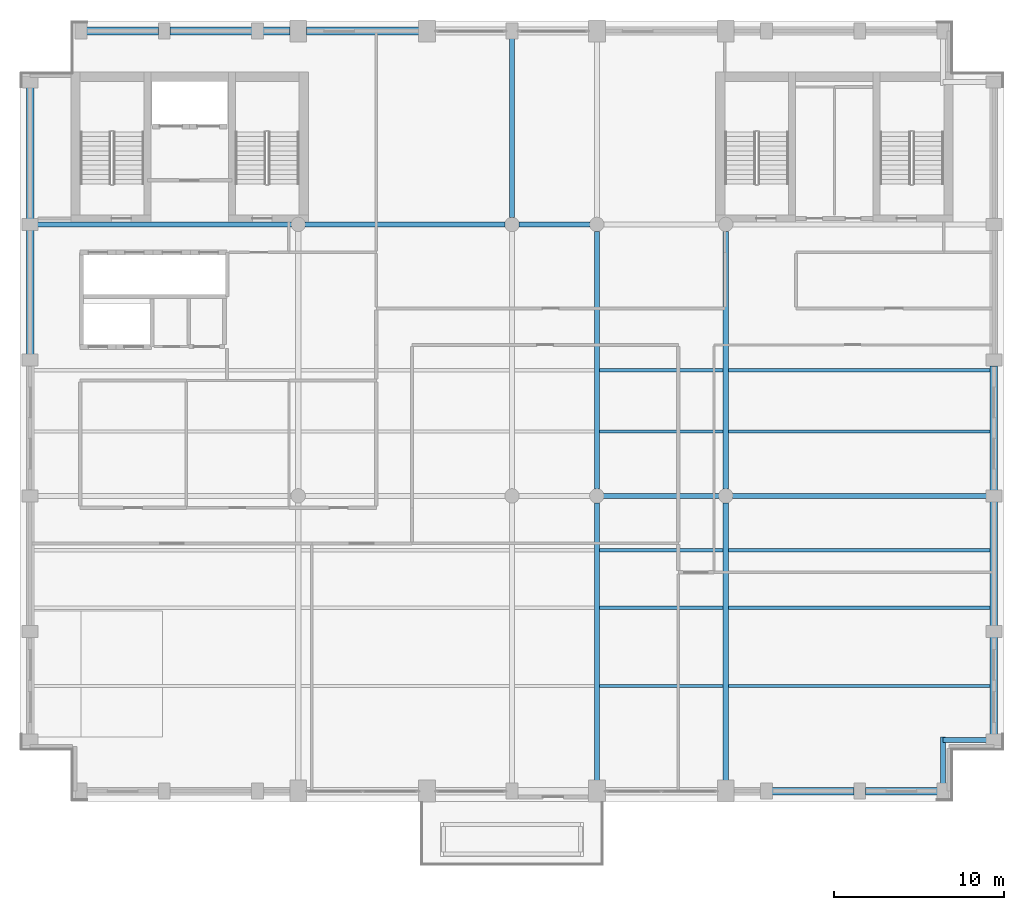
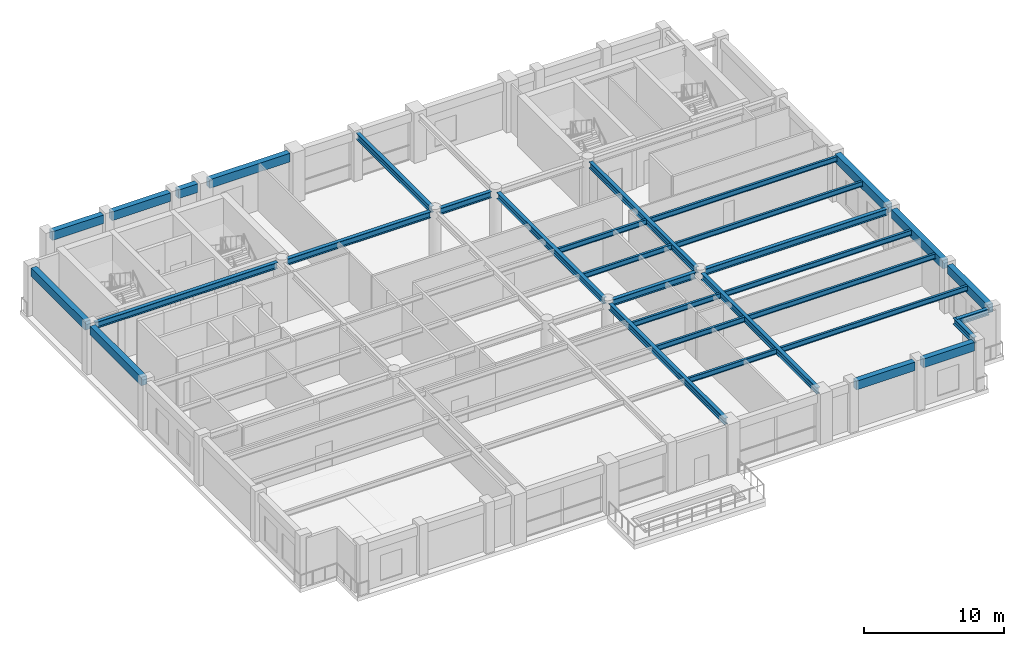
# One storey, part 4 of 13: 33 beams.
"""IFC4 building model written with IfcOpenShell, lengths in metres."""

from ifc_helpers import new_model, si_unit, direction, frame, origin, origin_2d, place, context, subcontext, project, spatial, rectangle, i_section, extrude, material, material_profile, profile_set, type_object, element, save


model = new_model("IFC4")

# Units and contexts
model_context = context("Model", 3, precision=1e-05, world=origin(), true_north=direction((0.0, 1.0)))
body_context = subcontext(model_context, "Body", "Model", "MODEL_VIEW")
ifc_project = project(units=[si_unit("LENGTHUNIT", "METRE"), si_unit("AREAUNIT", "SQUARE_METRE"), si_unit("VOLUMEUNIT", "CUBIC_METRE"), si_unit("PLANEANGLEUNIT", "RADIAN"), si_unit("MASSUNIT", "GRAM", prefix="KILO")], contexts=[model_context])

# Site, building, storey
site_placement = place(None, origin())
site = spatial("IfcSite", under=ifc_project, at=site_placement, CompositionType="ELEMENT")
building_placement = place(site_placement, origin())
building = spatial("IfcBuilding", under=site, at=building_placement, Name="Sulina Concourse Tower", CompositionType="ELEMENT")
storey_placement = place(building_placement, frame((0.0, 0.0, 280.60009765625)))
storey = spatial("IfcBuildingStorey", under=building, at=storey_placement, Name="L68", CompositionType="ELEMENT", Elevation=280.60009765625)

# Beams
ifc_material_1 = material(Name="Steel S355", Category="steel")
ifc_material_profile_1 = material_profile(ifc_material_1, i_section(OverallWidth=0.18994140625, OverallDepth=0.449951171875, WebThickness=0.009521484375, FlangeThickness=0.0146484375, at=origin_2d()), Name="IPE 450")
ifc_profile_set_1 = profile_set([ifc_material_profile_1], Name="Steel S355")
beam_type_1 = type_object("IfcBeamType", Name="Composite Floor Joist IPE450", PredefinedType="JOIST", material=ifc_profile_set_1)
beam_1_placement = place(storey_placement, frame((34.14990234375, 6.800048828125, 3.9248046875), z_axis=(1.0, 0.0, 0.0), x_axis=(0.0, 1.0, 0.0)))
element("IfcBeam", 1, at=beam_1_placement, inside=storey, type_object=beam_type_1, Name="FJ-J06-4-L68", PredefinedType="JOIST", context=body_context, shape_type="SweptSolid", body=[
    extrude(i_section(OverallWidth=0.18994140625, OverallDepth=0.449951171875, WebThickness=0.009521484375, FlangeThickness=0.0146484375, at=origin_2d()), origin(), (0.0, 0.0, 1.0), 7.300048828125),
])
beam_2_placement = place(storey_placement, frame((41.75, 6.800048828125, 3.9248046875), z_axis=(1.0, 0.0, 0.0), x_axis=(0.0, 1.0, 0.0)))
element("IfcBeam", 2, at=beam_2_placement, inside=storey, type_object=beam_type_1, Name="FJ-J06-5-L68", PredefinedType="JOIST", context=body_context, shape_type="SweptSolid", body=[
    extrude(i_section(OverallWidth=0.18994140625, OverallDepth=0.449951171875, WebThickness=0.009521484375, FlangeThickness=0.0146484375, at=origin_2d()), origin(), (0.0, 0.0, 1.0), 15.425048828125),
])
beam_3_placement = place(storey_placement, frame((34.14990234375, 11.39990234375, 3.9248046875), z_axis=(1.0, 0.0, 0.0), x_axis=(0.0, 1.0, 0.0)))
element("IfcBeam", 3, at=beam_3_placement, inside=storey, type_object=beam_type_1, Name="FJ-J11-4-L68", PredefinedType="JOIST", context=body_context, shape_type="SweptSolid", body=[
    extrude(i_section(OverallWidth=0.18994140625, OverallDepth=0.449951171875, WebThickness=0.009521484375, FlangeThickness=0.0146484375, at=origin_2d()), origin(), (0.0, 0.0, 1.0), 7.300048828125),
])
beam_4_placement = place(storey_placement, frame((41.75, 11.39990234375, 3.9248046875), z_axis=(1.0, 0.0, 0.0), x_axis=(0.0, 1.0, 0.0)))
element("IfcBeam", 4, at=beam_4_placement, inside=storey, type_object=beam_type_1, Name="FJ-J11-5-L68", PredefinedType="JOIST", context=body_context, shape_type="SweptSolid", body=[
    extrude(i_section(OverallWidth=0.18994140625, OverallDepth=0.449951171875, WebThickness=0.009521484375, FlangeThickness=0.0146484375, at=origin_2d()), origin(), (0.0, 0.0, 1.0), 15.425048828125),
])
beam_5_placement = place(storey_placement, frame((34.14990234375, 14.800048828125, 3.9248046875), z_axis=(1.0, 0.0, 0.0), x_axis=(0.0, 1.0, 0.0)))
element("IfcBeam", 5, at=beam_5_placement, inside=storey, type_object=beam_type_1, Name="FJ-J15-4-L68", PredefinedType="JOIST", context=body_context, shape_type="SweptSolid", body=[
    extrude(i_section(OverallWidth=0.18994140625, OverallDepth=0.449951171875, WebThickness=0.009521484375, FlangeThickness=0.0146484375, at=origin_2d()), origin(), (0.0, 0.0, 1.0), 7.300048828125),
])
beam_6_placement = place(storey_placement, frame((41.75, 14.800048828125, 3.9248046875), z_axis=(1.0, 0.0, 0.0), x_axis=(0.0, 1.0, 0.0)))
element("IfcBeam", 6, at=beam_6_placement, inside=storey, type_object=beam_type_1, Name="FJ-J15-5-L68", PredefinedType="JOIST", context=body_context, shape_type="SweptSolid", body=[
    extrude(i_section(OverallWidth=0.18994140625, OverallDepth=0.449951171875, WebThickness=0.009521484375, FlangeThickness=0.0146484375, at=origin_2d()), origin(), (0.0, 0.0, 1.0), 15.425048828125),
])
beam_7_placement = place(storey_placement, frame((34.14990234375, 21.800048828125, 3.9248046875), z_axis=(1.0, 0.0, 0.0), x_axis=(0.0, 1.0, 0.0)))
element("IfcBeam", 7, at=beam_7_placement, inside=storey, type_object=beam_type_1, Name="FJ-J22-4-L68", PredefinedType="JOIST", context=body_context, shape_type="SweptSolid", body=[
    extrude(i_section(OverallWidth=0.18994140625, OverallDepth=0.449951171875, WebThickness=0.009521484375, FlangeThickness=0.0146484375, at=origin_2d()), origin(), (0.0, 0.0, 1.0), 7.300048828125),
])
beam_8_placement = place(storey_placement, frame((41.75, 21.800048828125, 3.9248046875), z_axis=(1.0, 0.0, 0.0), x_axis=(0.0, 1.0, 0.0)))
element("IfcBeam", 8, at=beam_8_placement, inside=storey, type_object=beam_type_1, Name="FJ-J22-5-L68", PredefinedType="JOIST", context=body_context, shape_type="SweptSolid", body=[
    extrude(i_section(OverallWidth=0.18994140625, OverallDepth=0.449951171875, WebThickness=0.009521484375, FlangeThickness=0.0146484375, at=origin_2d()), origin(), (0.0, 0.0, 1.0), 15.425048828125),
])
beam_9_placement = place(storey_placement, frame((34.14990234375, 25.39990234375, 3.9248046875), z_axis=(1.0, 0.0, 0.0), x_axis=(0.0, 1.0, 0.0)))
element("IfcBeam", 9, at=beam_9_placement, inside=storey, type_object=beam_type_1, Name="FJ-J25-4-L68", PredefinedType="JOIST", context=body_context, shape_type="SweptSolid", body=[
    extrude(i_section(OverallWidth=0.18994140625, OverallDepth=0.449951171875, WebThickness=0.009521484375, FlangeThickness=0.0146484375, at=origin_2d()), origin(), (0.0, 0.0, 1.0), 7.300048828125),
])
beam_10_placement = place(storey_placement, frame((41.75, 25.39990234375, 3.9248046875), z_axis=(1.0, 0.0, 0.0), x_axis=(0.0, 1.0, 0.0)))
element("IfcBeam", 10, at=beam_10_placement, inside=storey, type_object=beam_type_1, Name="FJ-J25-5-L68", PredefinedType="JOIST", context=body_context, shape_type="SweptSolid", body=[
    extrude(i_section(OverallWidth=0.18994140625, OverallDepth=0.449951171875, WebThickness=0.009521484375, FlangeThickness=0.0146484375, at=origin_2d()), origin(), (0.0, 0.0, 1.0), 15.425048828125),
])
ifc_material_2 = material(Name="Steel S355", Category="steel")
ifc_material_profile_2 = material_profile(ifc_material_2, i_section(OverallWidth=0.300048828125, OverallDepth=0.550048828125, WebThickness=0.014892578125, FlangeThickness=0.029052734375, at=origin_2d()), Name="HE 550 B")
ifc_profile_set_2 = profile_set([ifc_material_profile_2], Name="Steel S355")
beam_type_2 = type_object("IfcBeamType", Name="Floor Primary Girder Zone 4 HE550B", PredefinedType="BEAM", material=ifc_profile_set_2)
beam_11_placement = place(storey_placement, frame((54.39990234375, 3.60009765625, 3.875), z_axis=(1.0, 0.0, 0.0), x_axis=(0.0, 1.0, 0.0)))
element("IfcBeam", 11, at=beam_11_placement, inside=storey, type_object=beam_type_2, Name="TIE-SE-L68", PredefinedType="BEAM", context=body_context, shape_type="SweptSolid", body=[
    extrude(i_section(OverallWidth=0.300048828125, OverallDepth=0.550048828125, WebThickness=0.014892578125, FlangeThickness=0.029052734375, at=origin_2d()), origin(), (0.0, 0.0, 1.0), 2.670166015625),
])
beam_12_placement = place(storey_placement, frame((54.39990234375, 0.929931640625, 3.875), z_axis=(0.0, 1.0, 0.0), x_axis=(-1.0, 0.0, 0.0)))
element("IfcBeam", 12, at=beam_12_placement, inside=storey, type_object=beam_type_2, Name="TIE-SES-L68", PredefinedType="BEAM", context=body_context, shape_type="SweptSolid", body=[
    extrude(i_section(OverallWidth=0.300048828125, OverallDepth=0.550048828125, WebThickness=0.014892578125, FlangeThickness=0.029052734375, at=origin_2d()), origin(), (0.0, 0.0, 1.0), 2.8701171875),
])
beam_13_placement = place(storey_placement, frame((34.405029296875, 18.0, 3.875), z_axis=(1.0, 0.0, 0.0), x_axis=(0.0, 1.0, 0.0)))
element("IfcBeam", 13, at=beam_13_placement, inside=storey, type_object=beam_type_2, Name="FG-EW4-L68", PredefinedType="BEAM", context=body_context, shape_type="SweptSolid", body=[
    extrude(i_section(OverallWidth=0.300048828125, OverallDepth=0.550048828125, WebThickness=0.014892578125, FlangeThickness=0.029052734375, at=origin_2d()), origin(), (0.0, 0.0, 1.0), 6.7900390625),
])
for number, where, z_axis, x_axis, name in (
    (14, (42.0048828125, 18.0, 3.875), (1.0, 0.0, 0.0), (0.0, 1.0, 0.0), "FG-EW5-L68"),
    (15, (0.929931640625, 34.0, 3.875), (1.0, 0.0, 0.0), (0.0, 1.0, 0.0), "FG-EWN1-L68"),
):
    element("IfcBeam", number, at=place(storey_placement, frame(where, z_axis=z_axis, x_axis=x_axis)), inside=storey, type_object=beam_type_2, Name=name, PredefinedType="BEAM", context=body_context, shape_type="SweptSolid", body=[
        extrude(i_section(OverallWidth=0.300048828125, OverallDepth=0.550048828125, WebThickness=0.014892578125, FlangeThickness=0.029052734375, at=origin_2d()), origin(), (0.0, 0.0, 1.0), 15.065185546875),
    ])
beam_14_placement = place(storey_placement, frame((16.804931640625, 34.0, 3.875), z_axis=(1.0, 0.0, 0.0), x_axis=(0.0, 1.0, 0.0)))
element("IfcBeam", 16, at=beam_14_placement, inside=storey, type_object=beam_type_2, Name="FG-EWN2-L68", PredefinedType="BEAM", context=body_context, shape_type="SweptSolid", body=[
    extrude(i_section(OverallWidth=0.300048828125, OverallDepth=0.550048828125, WebThickness=0.014892578125, FlangeThickness=0.029052734375, at=origin_2d()), origin(), (0.0, 0.0, 1.0), 11.7900390625),
])
beam_15_placement = place(storey_placement, frame((29.405029296875, 34.0, 3.875), z_axis=(1.0, 0.0, 0.0), x_axis=(0.0, 1.0, 0.0)))
element("IfcBeam", 17, at=beam_15_placement, inside=storey, type_object=beam_type_2, Name="FG-EWN3-L68", PredefinedType="BEAM", context=body_context, shape_type="SweptSolid", body=[
    extrude(i_section(OverallWidth=0.300048828125, OverallDepth=0.550048828125, WebThickness=0.014892578125, FlangeThickness=0.029052734375, at=origin_2d()), origin(), (0.0, 0.0, 1.0), 4.18994140625),
])
beam_16_placement = place(storey_placement, frame((29.0, 34.405029296875, 3.875), z_axis=(0.0, 1.0, 0.0), x_axis=(-1.0, 0.0, 0.0)))
element("IfcBeam", 18, at=beam_16_placement, inside=storey, type_object=beam_type_2, Name="FG-NSC-29-L68", PredefinedType="BEAM", context=body_context, shape_type="SweptSolid", body=[
    extrude(i_section(OverallWidth=0.300048828125, OverallDepth=0.550048828125, WebThickness=0.014892578125, FlangeThickness=0.029052734375, at=origin_2d()), origin(), (0.0, 0.0, 1.0), 10.6650390625),
])
beam_17_placement = place(storey_placement, frame((34.0, 1.080078125, 3.875), z_axis=(0.0, 1.0, 0.0), x_axis=(-1.0, 0.0, 0.0)))
element("IfcBeam", 19, at=beam_17_placement, inside=storey, type_object=beam_type_2, Name="FG-NSA-34-L68", PredefinedType="BEAM", context=body_context, shape_type="SweptSolid", body=[
    extrude(i_section(OverallWidth=0.300048828125, OverallDepth=0.550048828125, WebThickness=0.014892578125, FlangeThickness=0.029052734375, at=origin_2d()), origin(), (0.0, 0.0, 1.0), 16.514892578125),
])
beam_18_placement = place(storey_placement, frame((34.0, 18.405029296875, 3.875), z_axis=(0.0, 1.0, 0.0), x_axis=(-1.0, 0.0, 0.0)))
element("IfcBeam", 20, at=beam_18_placement, inside=storey, type_object=beam_type_2, Name="FG-NSB-34-L68", PredefinedType="BEAM", context=body_context, shape_type="SweptSolid", body=[
    extrude(i_section(OverallWidth=0.300048828125, OverallDepth=0.550048828125, WebThickness=0.014892578125, FlangeThickness=0.029052734375, at=origin_2d()), origin(), (0.0, 0.0, 1.0), 15.18994140625),
])
beam_19_placement = place(storey_placement, frame((41.60009765625, 1.080078125, 3.875), z_axis=(0.0, 1.0, 0.0), x_axis=(-1.0, 0.0, 0.0)))
element("IfcBeam", 21, at=beam_19_placement, inside=storey, type_object=beam_type_2, Name="FG-NSA-41-L68", PredefinedType="BEAM", context=body_context, shape_type="SweptSolid", body=[
    extrude(i_section(OverallWidth=0.300048828125, OverallDepth=0.550048828125, WebThickness=0.014892578125, FlangeThickness=0.029052734375, at=origin_2d()), origin(), (0.0, 0.0, 1.0), 16.514892578125),
])
beam_20_placement = place(storey_placement, frame((41.60009765625, 18.405029296875, 3.875), z_axis=(0.0, 1.0, 0.0), x_axis=(-1.0, 0.0, 0.0)))
element("IfcBeam", 22, at=beam_20_placement, inside=storey, type_object=beam_type_2, Name="FG-NSB-41-L68", PredefinedType="BEAM", context=body_context, shape_type="SweptSolid", body=[
    extrude(i_section(OverallWidth=0.300048828125, OverallDepth=0.550048828125, WebThickness=0.014892578125, FlangeThickness=0.029052734375, at=origin_2d()), origin(), (0.0, 0.0, 1.0), 15.18994140625),
])
ifc_material_3 = material(Name="Precast concrete C50/60", Category="concrete")
ifc_material_profile_3 = material_profile(ifc_material_3, rectangle(XDim=0.449951171875, YDim=0.75, at=origin_2d()), Name="RC 450x750")
ifc_profile_set_3 = profile_set([ifc_material_profile_3], Name="Precast concrete C50/60")
beam_type_3 = type_object("IfcBeamType", Name="Upper Precast Spandrel Edge Beam 450x750", PredefinedType="BEAM", material=ifc_profile_set_3)
beam_21_placement = place(storey_placement, frame((44.330078125, 0.60009765625, 3.77490234375), z_axis=(1.0, 0.0, 0.0), x_axis=(0.0, 1.0, 0.0)))
element("IfcBeam", 23, at=beam_21_placement, inside=storey, type_object=beam_type_3, Name="SP-S9-L68", PredefinedType="BEAM", context=body_context, shape_type="SweptSolid", body=[
    extrude(rectangle(XDim=0.449951171875, YDim=0.75, at=origin_2d()), origin(), (0.0, 0.0, 1.0), 4.83984375),
])
for number, where, z_axis, x_axis, name in (
    (24, (49.830078125, 0.60009765625, 3.77490234375), (1.0, 0.0, 0.0), (0.0, 1.0, 0.0), "SP-S10-L68"),
    (25, (3.929931640625, 45.39990234375, 3.77490234375), (1.0, 0.0, 0.0), (0.0, 1.0, 0.0), "SP-N1-L68"),
):
    element("IfcBeam", number, at=place(storey_placement, frame(where, z_axis=z_axis, x_axis=x_axis)), inside=storey, type_object=beam_type_3, Name=name, PredefinedType="BEAM", context=body_context, shape_type="SweptSolid", body=[
        extrude(rectangle(XDim=0.449951171875, YDim=0.75, at=origin_2d()), origin(), (0.0, 0.0, 1.0), 4.239990234375),
    ])
beam_22_placement = place(storey_placement, frame((8.830078125, 45.39990234375, 3.77490234375), z_axis=(1.0, 0.0, 0.0), x_axis=(0.0, 1.0, 0.0)))
element("IfcBeam", 26, at=beam_22_placement, inside=storey, type_object=beam_type_3, Name="SP-N2-L68", PredefinedType="BEAM", context=body_context, shape_type="SweptSolid", body=[
    extrude(rectangle(XDim=0.449951171875, YDim=0.75, at=origin_2d()), origin(), (0.0, 0.0, 1.0), 4.83984375),
])
beam_23_placement = place(storey_placement, frame((14.330078125, 45.39990234375, 3.77490234375), z_axis=(1.0, 0.0, 0.0), x_axis=(0.0, 1.0, 0.0)))
element("IfcBeam", 27, at=beam_23_placement, inside=storey, type_object=beam_type_3, Name="SP-N3-L68", PredefinedType="BEAM", context=body_context, shape_type="SweptSolid", body=[
    extrude(rectangle(XDim=0.449951171875, YDim=0.75, at=origin_2d()), origin(), (0.0, 0.0, 1.0), 1.58984375),
])
beam_24_placement = place(storey_placement, frame((16.8798828125, 45.39990234375, 3.77490234375), z_axis=(1.0, 0.0, 0.0), x_axis=(0.0, 1.0, 0.0)))
element("IfcBeam", 28, at=beam_24_placement, inside=storey, type_object=beam_type_3, Name="SP-N4-L68", PredefinedType="BEAM", context=body_context, shape_type="SweptSolid", body=[
    extrude(rectangle(XDim=0.449951171875, YDim=0.75, at=origin_2d()), origin(), (0.0, 0.0, 1.0), 6.64013671875),
])
beam_25_placement = place(storey_placement, frame((0.60009765625, 26.330078125, 3.77490234375), z_axis=(0.0, 1.0, 0.0), x_axis=(-1.0, 0.0, 0.0)))
element("IfcBeam", 29, at=beam_25_placement, inside=storey, type_object=beam_type_3, Name="SP-W4-L68", PredefinedType="BEAM", context=body_context, shape_type="SweptSolid", body=[
    extrude(rectangle(XDim=0.449951171875, YDim=0.75, at=origin_2d()), origin(), (0.0, 0.0, 1.0), 7.33984375),
])
beam_26_placement = place(storey_placement, frame((0.60009765625, 34.330078125, 3.77490234375), z_axis=(0.0, 1.0, 0.0), x_axis=(-1.0, 0.0, 0.0)))
element("IfcBeam", 30, at=beam_26_placement, inside=storey, type_object=beam_type_3, Name="SP-W5-L68", PredefinedType="BEAM", context=body_context, shape_type="SweptSolid", body=[
    extrude(rectangle(XDim=0.449951171875, YDim=0.75, at=origin_2d()), origin(), (0.0, 0.0, 1.0), 7.739990234375),
])
beam_27_placement = place(storey_placement, frame((57.39990234375, 3.929931640625, 3.77490234375), z_axis=(0.0, 1.0, 0.0), x_axis=(-1.0, 0.0, 0.0)))
element("IfcBeam", 31, at=beam_27_placement, inside=storey, type_object=beam_type_3, Name="SP-E1-L68", PredefinedType="BEAM", context=body_context, shape_type="SweptSolid", body=[
    extrude(rectangle(XDim=0.449951171875, YDim=0.75, at=origin_2d()), origin(), (0.0, 0.0, 1.0), 5.739990234375),
])
for number, where, z_axis, x_axis, name in (
    (32, (57.39990234375, 10.330078125, 3.77490234375), (0.0, 1.0, 0.0), (-1.0, 0.0, 0.0), "SP-E2-L68"),
    (33, (57.39990234375, 18.330078125, 3.77490234375), (0.0, 1.0, 0.0), (-1.0, 0.0, 0.0), "SP-E3-L68"),
):
    element("IfcBeam", number, at=place(storey_placement, frame(where, z_axis=z_axis, x_axis=x_axis)), inside=storey, type_object=beam_type_3, Name=name, PredefinedType="BEAM", context=body_context, shape_type="SweptSolid", body=[
        extrude(rectangle(XDim=0.449951171875, YDim=0.75, at=origin_2d()), origin(), (0.0, 0.0, 1.0), 7.33984375),
    ])

save(model, "model.ifc")
